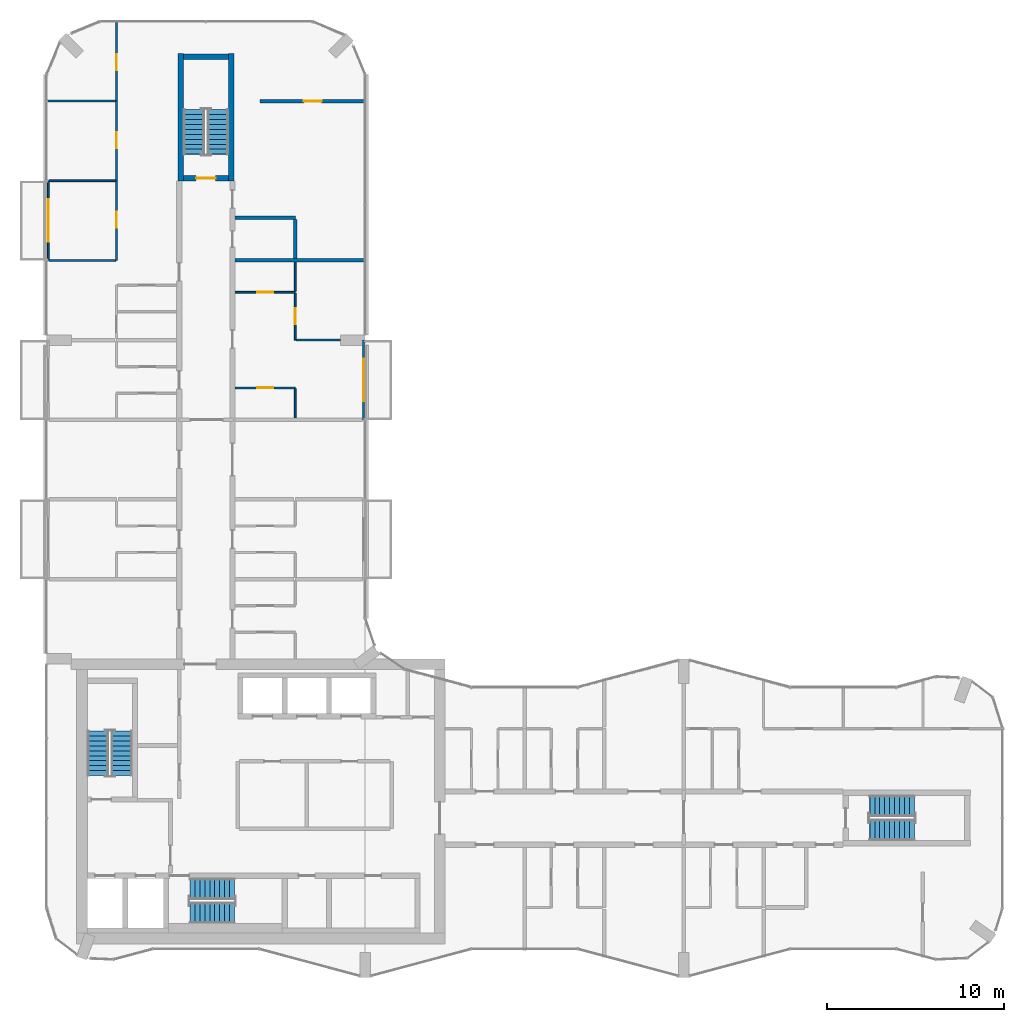
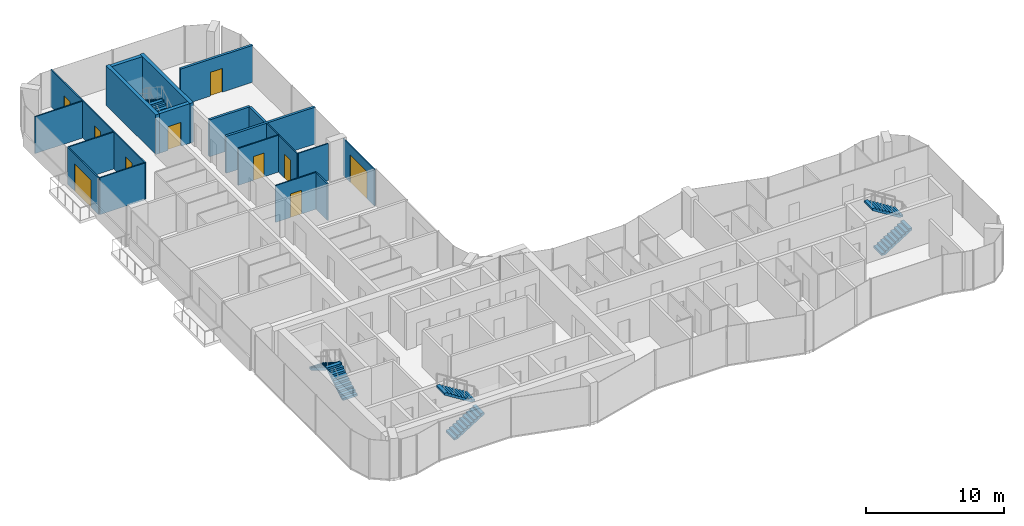
# One storey, part 13 of 16: 20 walls, 10 doors, 8 stair flights, 10 openings, 4 elements without a shape of their own.
"""IFC4 building model written with IfcOpenShell, lengths in metres."""

from ifc_helpers import new_model, si_unit, direction, frame, frame_2d, origin, place, context, subcontext, project, spatial, polyline, rectangle, outline, extrude, material, layer, layer_set, type_object, element, fill, aggregate, save


model = new_model("IFC4")

# Units and contexts
model_context = context("Model", 3, precision=1e-05, world=origin(), true_north=direction((0.0, 1.0)))
body_context = subcontext(model_context, "Body", "Model", "MODEL_VIEW")
ifc_project = project(units=[si_unit("LENGTHUNIT", "METRE"), si_unit("AREAUNIT", "SQUARE_METRE"), si_unit("VOLUMEUNIT", "CUBIC_METRE"), si_unit("PLANEANGLEUNIT", "RADIAN"), si_unit("MASSUNIT", "GRAM", prefix="KILO")], contexts=[model_context])

# Site, building, storey
site_placement = place(None, origin())
site = spatial("IfcSite", under=ifc_project, at=site_placement, CompositionType="ELEMENT")
building_placement = place(site_placement, origin())
building = spatial("IfcBuilding", under=site, at=building_placement, Name="Plateau Cross Towers", CompositionType="ELEMENT")
storey_placement = place(building_placement, frame((0.0, 0.0, 160.39990234375)))
storey = spatial("IfcBuildingStorey", under=building, at=storey_placement, Name="L41", CompositionType="ELEMENT", Elevation=160.39990234375)

# Wall, opening, door
ifc_material_1 = material(Name="Aluminium framed glazing", Category="aluminium")
ifc_layer_1 = layer(ifc_material_1, 0.10009765625)
ifc_layer_set_1 = layer_set([ifc_layer_1], Name="Aluminium framed glazing")
wall_type_1 = type_object("IfcWallType", Name="Balcony screen wall 100", PredefinedType="STANDARD", material=ifc_layer_set_1)
wall_1_placement = place(storey_placement, frame((0.10009765625, 40.5, 0.0), z_axis=(0.0, 0.0, 1.0), x_axis=(0.0, 1.0, 0.0)))
wall_1 = element("IfcWall", 1, at=wall_1_placement, inside=storey, type_object=wall_type_1, Name="Balcony screen wall A-BAL-L41-03", PredefinedType="STANDARD", context=body_context, shape_type="SweptSolid", body=[
    extrude(rectangle(XDim=4.5, YDim=0.10009765625, at=frame_2d((2.25, 0.0))), origin(), (0.0, 0.0, 1.0), 3.25),
])
opening_1_placement = place(wall_1_placement, frame((1.050048828125, 0.0, 0.0)))
opening_1 = element("IfcOpeningElement", 2, at=opening_1_placement, cuts=wall_1, Name="Opening D-B24", PredefinedType="OPENING", context=body_context, shape_type="SweptSolid", body=[
    extrude(rectangle(XDim=2.39990234375, YDim=2.39990234375, at=frame_2d((1.199951171875, 1.199951171875))), frame((0.0, 0.06005859375, 0.0), z_axis=(0.0, -1.0, 0.0), x_axis=(1.0, 0.0, 0.0)), (0.0, 0.0, 1.0), 0.1201171875),
])
ifc_material_2 = material(Name="Aluminium frame, double glazing", Category="aluminium")
door_type_1 = type_object("IfcDoorType", Name="Balcony sliding door 2400", OperationType="NOTDEFINED", PredefinedType="DOOR", material=ifc_material_2)
door_1_placement = place(opening_1_placement, origin())
door_1 = element("IfcDoor", 3, at=door_1_placement, inside=storey, type_object=door_type_1, Name="Balcony door A-BAL-L41-03", OperationType="SINGLE_SWING_LEFT", OverallHeight=2.39990234375, OverallWidth=2.39990234375, PredefinedType="DOOR", context=body_context, shape_type="SweptSolid", body=[
    extrude(rectangle(XDim=2.39990234375, YDim=2.39990234375, at=frame_2d((1.199951171875, 1.199951171875))), frame((0.0, 0.02490234375, 0.0), z_axis=(0.0, -1.0, 0.0), x_axis=(1.0, 0.0, 0.0)), (0.0, 0.0, 1.0), 0.050048828125),
])
fill(opening_1, door_1)

wall_2_placement = place(storey_placement, frame((17.89990234375, 36.0, 0.0), z_axis=(0.0, 0.0, 1.0), x_axis=(0.0, -1.0, 0.0)))
wall_2 = element("IfcWall", 4, at=wall_2_placement, inside=storey, type_object=wall_type_1, Name="Balcony screen wall A-BAL-L41-05", PredefinedType="STANDARD", context=body_context, shape_type="SweptSolid", body=[
    extrude(rectangle(XDim=4.5, YDim=0.10009765625, at=frame_2d((2.25, 0.0))), origin(), (0.0, 0.0, 1.0), 3.25),
])
opening_2_placement = place(wall_2_placement, frame((1.050048828125, 0.0, 0.0)))
opening_2 = element("IfcOpeningElement", 5, at=opening_2_placement, cuts=wall_2, Name="Opening D-B24", PredefinedType="OPENING", context=body_context, shape_type="SweptSolid", body=[
    extrude(rectangle(XDim=2.39990234375, YDim=2.39990234375, at=frame_2d((1.199951171875, 1.199951171875))), frame((0.0, 0.06005859375, 0.0), z_axis=(0.0, -1.0, 0.0), x_axis=(1.0, 0.0, 0.0)), (0.0, 0.0, 1.0), 0.1201171875),
])
door_2_placement = place(opening_2_placement, origin())
door_2 = element("IfcDoor", 6, at=door_2_placement, inside=storey, type_object=door_type_1, Name="Balcony door A-BAL-L41-05", OperationType="SINGLE_SWING_LEFT", OverallHeight=2.39990234375, OverallWidth=2.39990234375, PredefinedType="DOOR", context=body_context, shape_type="SweptSolid", body=[
    extrude(rectangle(XDim=2.39990234375, YDim=2.39990234375, at=frame_2d((1.199951171875, 1.199951171875))), frame((0.0, 0.02490234375, 0.0), z_axis=(0.0, -1.0, 0.0), x_axis=(1.0, 0.0, 0.0)), (0.0, 0.0, 1.0), 0.050048828125),
])
fill(opening_2, door_2)

ifc_material_3 = material(Name="Gypsum board on steel studs", Category="steel")
ifc_layer_2 = layer(ifc_material_3, 0.10009765625)
ifc_layer_set_2 = layer_set([ifc_layer_2], Name="Gypsum board on steel studs")
wall_type_2 = type_object("IfcWallType", Name="Flat partition 100", PredefinedType="PARTITIONING", material=ifc_layer_set_2)
wall_3_placement = place(storey_placement, frame((14.050048828125, 33.300048828125, 0.0), z_axis=(0.0, 0.0, 1.0), x_axis=(-1.0, 0.0, 0.0)))
wall_3 = element("IfcWall", 7, at=wall_3_placement, inside=storey, type_object=wall_type_2, Name="Partition wall", PredefinedType="PARTITIONING", context=body_context, shape_type="SweptSolid", body=[
    extrude(rectangle(XDim=3.400146484375, YDim=0.10009765625, at=frame_2d((1.7001953125, 0.0))), origin(), (0.0, 0.0, 1.0), 3.25),
])
opening_3_placement = place(wall_3_placement, frame((1.25, 0.0, 0.0)))
opening_3 = element("IfcOpeningElement", 8, at=opening_3_placement, cuts=wall_3, Name="Opening 41-52", PredefinedType="OPENING", context=body_context, shape_type="SweptSolid", body=[
    extrude(rectangle(XDim=0.89990234375, YDim=2.10009765625, at=frame_2d((0.449951171875, 1.050048828125))), frame((0.0, 0.06005859375, 0.0), z_axis=(0.0, -1.0, 0.0), x_axis=(1.0, 0.0, 0.0)), (0.0, 0.0, 1.0), 0.1201171875),
])
ifc_material_4 = material(Name="Timber leaf", Category="wood")
door_type_2 = type_object("IfcDoorType", Name="Flat room door 900", OperationType="NOTDEFINED", PredefinedType="DOOR", material=ifc_material_4)
door_3_placement = place(opening_3_placement, origin())
door_3 = element("IfcDoor", 9, at=door_3_placement, inside=storey, type_object=door_type_2, Name="Door 41-52", OperationType="SINGLE_SWING_LEFT", OverallHeight=2.10009765625, OverallWidth=0.89990234375, PredefinedType="DOOR", context=body_context, shape_type="SweptSolid", body=[
    extrude(rectangle(XDim=0.89990234375, YDim=2.10009765625, at=frame_2d((0.449951171875, 1.050048828125))), frame((0.0, 0.02490234375, 0.0), z_axis=(0.0, -1.0, 0.0), x_axis=(1.0, 0.0, 0.0)), (0.0, 0.0, 1.0), 0.050048828125),
])
fill(opening_3, door_3)

# Wall
wall_4_placement = place(storey_placement, frame((14.10009765625, 36.0, 0.0), z_axis=(0.0, 0.0, 1.0), x_axis=(1.0, 0.0, 0.0)))
element("IfcWall", 10, at=wall_4_placement, inside=storey, type_object=wall_type_2, Name="Partition wall", PredefinedType="PARTITIONING", context=body_context, shape_type="SweptSolid", body=[
    extrude(rectangle(XDim=2.5, YDim=0.10009765625, at=frame_2d((1.25, 0.0))), origin(), (0.0, 0.0, 1.0), 3.25),
])

# Wall, opening, door
wall_5_placement = place(storey_placement, frame((10.64990234375, 38.699951171875, 0.0), z_axis=(0.0, 0.0, 1.0), x_axis=(1.0, 0.0, 0.0)))
wall_5 = element("IfcWall", 11, at=wall_5_placement, inside=storey, type_object=wall_type_2, Name="Partition wall", PredefinedType="PARTITIONING", context=body_context, shape_type="SweptSolid", body=[
    extrude(rectangle(XDim=3.400146484375, YDim=0.10009765625, at=frame_2d((1.7001953125, 0.0))), origin(), (0.0, 0.0, 1.0), 3.25),
])
opening_4_placement = place(wall_5_placement, frame((1.25, 0.0, 0.0)))
opening_4 = element("IfcOpeningElement", 12, at=opening_4_placement, cuts=wall_5, Name="Opening 41-53", PredefinedType="OPENING", context=body_context, shape_type="SweptSolid", body=[
    extrude(rectangle(XDim=0.89990234375, YDim=2.10009765625, at=frame_2d((0.449951171875, 1.050048828125))), frame((0.0, 0.06005859375, 0.0), z_axis=(0.0, -1.0, 0.0), x_axis=(1.0, 0.0, 0.0)), (0.0, 0.0, 1.0), 0.1201171875),
])
door_4_placement = place(opening_4_placement, origin())
door_4 = element("IfcDoor", 13, at=door_4_placement, inside=storey, type_object=door_type_2, Name="Door 41-53", OperationType="SINGLE_SWING_LEFT", OverallHeight=2.10009765625, OverallWidth=0.89990234375, PredefinedType="DOOR", context=body_context, shape_type="SweptSolid", body=[
    extrude(rectangle(XDim=0.89990234375, YDim=2.10009765625, at=frame_2d((0.449951171875, 1.050048828125))), frame((0.0, 0.02490234375, 0.0), z_axis=(0.0, -1.0, 0.0), x_axis=(1.0, 0.0, 0.0)), (0.0, 0.0, 1.0), 0.050048828125),
])
fill(opening_4, door_4)

# Walls
for number, where, z_axis, x_axis, name in (
    (14, (0.14990234375, 40.5, 0.0), (0.0, 0.0, 1.0), (1.0, 0.0, 0.0), "Partition wall"),
    (15, (3.89990234375, 45.0, 0.0), (0.0, 0.0, 1.0), (-1.0, 0.0, 0.0), "Partition wall"),
):
    element("IfcWall", number, at=place(storey_placement, frame(where, z_axis=z_axis, x_axis=x_axis)), inside=storey, type_object=wall_type_2, Name=name, PredefinedType="PARTITIONING", context=body_context, shape_type="SweptSolid", body=[
        extrude(rectangle(XDim=3.75, YDim=0.10009765625, at=frame_2d((1.875, 0.0))), origin(), (0.0, 0.0, 1.0), 3.25),
    ])
wall_6_placement = place(storey_placement, frame((3.89990234375, 49.5, 0.0), z_axis=(0.0, 0.0, 1.0), x_axis=(-1.0, 0.0, 0.0)))
element("IfcWall", 16, at=wall_6_placement, inside=storey, type_object=wall_type_2, Name="Partition wall", PredefinedType="PARTITIONING", context=body_context, shape_type="SweptSolid", body=[
    extrude(rectangle(XDim=3.97998046875, YDim=0.10009765625, at=frame_2d((1.989990234375, 0.0))), origin(), (0.0, 0.0, 1.0), 3.25),
])

# Wall, openings, doors
wall_7_placement = place(storey_placement, frame((3.949951171875, 40.5, 0.0), z_axis=(0.0, 0.0, 1.0), x_axis=(0.0, 1.0, 0.0)))
wall_7 = element("IfcWall", 17, at=wall_7_placement, inside=storey, type_object=wall_type_2, Name="Partition wall", PredefinedType="PARTITIONING", context=body_context, shape_type="SweptSolid", body=[
    extrude(rectangle(XDim=13.580078125, YDim=0.10009765625, at=frame_2d((6.7900390625, 0.0))), origin(), (0.0, 0.0, 1.0), 3.25),
])
opening_5_placement = place(wall_7_placement, frame((1.85009765625, 0.0, 0.0)))
opening_5 = element("IfcOpeningElement", 18, at=opening_5_placement, cuts=wall_7, Name="Opening 41-45", PredefinedType="OPENING", context=body_context, shape_type="SweptSolid", body=[
    extrude(rectangle(XDim=0.89990234375, YDim=2.10009765625, at=frame_2d((0.449951171875, 1.050048828125))), frame((0.0, 0.06005859375, 0.0), z_axis=(0.0, -1.0, 0.0), x_axis=(1.0, 0.0, 0.0)), (0.0, 0.0, 1.0), 0.1201171875),
])
opening_6_placement = place(wall_7_placement, frame((6.35009765625, 0.0, 0.0)))
opening_6 = element("IfcOpeningElement", 19, at=opening_6_placement, cuts=wall_7, Name="Opening 41-46", PredefinedType="OPENING", context=body_context, shape_type="SweptSolid", body=[
    extrude(rectangle(XDim=0.89990234375, YDim=2.10009765625, at=frame_2d((0.449951171875, 1.050048828125))), frame((0.0, 0.06005859375, 0.0), z_axis=(0.0, -1.0, 0.0), x_axis=(1.0, 0.0, 0.0)), (0.0, 0.0, 1.0), 0.1201171875),
])
opening_7_placement = place(wall_7_placement, frame((10.75, 0.0, 0.0)))
opening_7 = element("IfcOpeningElement", 20, at=opening_7_placement, cuts=wall_7, Name="Opening 41-47", PredefinedType="OPENING", context=body_context, shape_type="SweptSolid", body=[
    extrude(rectangle(XDim=0.89990234375, YDim=2.10009765625, at=frame_2d((0.449951171875, 1.050048828125))), frame((0.0, 0.06005859375, 0.0), z_axis=(0.0, -1.0, 0.0), x_axis=(1.0, 0.0, 0.0)), (0.0, 0.0, 1.0), 0.1201171875),
])
door_5_placement = place(opening_5_placement, origin())
door_5 = element("IfcDoor", 21, at=door_5_placement, inside=storey, type_object=door_type_2, Name="Door 41-45", OperationType="SINGLE_SWING_LEFT", OverallHeight=2.10009765625, OverallWidth=0.89990234375, PredefinedType="DOOR", context=body_context, shape_type="SweptSolid", body=[
    extrude(rectangle(XDim=0.89990234375, YDim=2.10009765625, at=frame_2d((0.449951171875, 1.050048828125))), frame((0.0, 0.02490234375, 0.0), z_axis=(0.0, -1.0, 0.0), x_axis=(1.0, 0.0, 0.0)), (0.0, 0.0, 1.0), 0.050048828125),
])
fill(opening_5, door_5)
door_6_placement = place(opening_6_placement, origin())
door_6 = element("IfcDoor", 22, at=door_6_placement, inside=storey, type_object=door_type_2, Name="Door 41-46", OperationType="SINGLE_SWING_RIGHT", OverallHeight=2.10009765625, OverallWidth=0.89990234375, PredefinedType="DOOR", context=body_context, shape_type="SweptSolid", body=[
    extrude(rectangle(XDim=0.89990234375, YDim=2.10009765625, at=frame_2d((0.449951171875, 1.050048828125))), frame((0.0, 0.02490234375, 0.0), z_axis=(0.0, -1.0, 0.0), x_axis=(1.0, 0.0, 0.0)), (0.0, 0.0, 1.0), 0.050048828125),
])
fill(opening_6, door_6)
door_7_placement = place(opening_7_placement, origin())
door_7 = element("IfcDoor", 23, at=door_7_placement, inside=storey, type_object=door_type_2, Name="Door 41-47", OperationType="SINGLE_SWING_RIGHT", OverallHeight=2.10009765625, OverallWidth=0.89990234375, PredefinedType="DOOR", context=body_context, shape_type="SweptSolid", body=[
    extrude(rectangle(XDim=0.89990234375, YDim=2.10009765625, at=frame_2d((0.449951171875, 1.050048828125))), frame((0.0, 0.02490234375, 0.0), z_axis=(0.0, -1.0, 0.0), x_axis=(1.0, 0.0, 0.0)), (0.0, 0.0, 1.0), 0.050048828125),
])
fill(opening_7, door_7)

# Wall, opening, door
wall_8_placement = place(storey_placement, frame((14.050048828125, 38.64990234375, 0.0), z_axis=(0.0, 0.0, 1.0), x_axis=(0.0, -1.0, 0.0)))
wall_8 = element("IfcWall", 24, at=wall_8_placement, inside=storey, type_object=wall_type_2, Name="Partition wall", PredefinedType="PARTITIONING", context=body_context, shape_type="SweptSolid", body=[
    extrude(rectangle(XDim=2.64990234375, YDim=0.10009765625, at=frame_2d((1.324951171875, 0.0))), origin(), (0.0, 0.0, 1.0), 3.25),
])
opening_8_placement = place(wall_8_placement, frame((0.85009765625, 0.0, 0.0)))
opening_8 = element("IfcOpeningElement", 25, at=opening_8_placement, cuts=wall_8, Name="Opening 41-54", PredefinedType="OPENING", context=body_context, shape_type="SweptSolid", body=[
    extrude(rectangle(XDim=0.89990234375, YDim=2.10009765625, at=frame_2d((0.449951171875, 1.050048828125))), frame((0.0, 0.06005859375, 0.0), z_axis=(0.0, -1.0, 0.0), x_axis=(1.0, 0.0, 0.0)), (0.0, 0.0, 1.0), 0.1201171875),
])
door_8_placement = place(opening_8_placement, origin())
door_8 = element("IfcDoor", 26, at=door_8_placement, inside=storey, type_object=door_type_2, Name="Door 41-54", OperationType="SINGLE_SWING_LEFT", OverallHeight=2.10009765625, OverallWidth=0.89990234375, PredefinedType="DOOR", context=body_context, shape_type="SweptSolid", body=[
    extrude(rectangle(XDim=0.89990234375, YDim=2.10009765625, at=frame_2d((0.449951171875, 1.050048828125))), frame((0.0, 0.02490234375, 0.0), z_axis=(0.0, -1.0, 0.0), x_axis=(1.0, 0.0, 0.0)), (0.0, 0.0, 1.0), 0.050048828125),
])
fill(opening_8, door_8)

# Walls
for number, where, z_axis, x_axis, name in (
    (27, (14.050048828125, 31.60009765625, 0.0), (0.0, 0.0, 1.0), (0.0, 1.0, 0.0), "Partition wall"),
    (28, (14.050048828125, 38.75, 0.0), (0.0, 0.0, 1.0), (0.0, 1.0, 0.0), "Partition wall"),
):
    element("IfcWall", number, at=place(storey_placement, frame(where, z_axis=z_axis, x_axis=x_axis)), inside=storey, type_object=wall_type_2, Name=name, PredefinedType="PARTITIONING", context=body_context, shape_type="SweptSolid", body=[
        extrude(rectangle(XDim=1.64990234375, YDim=0.10009765625, at=frame_2d((0.824951171875, 0.0))), origin(), (0.0, 0.0, 1.0), 3.25),
    ])
ifc_material_5 = material(Name="Gypsum board on steel studs, two layers each side", Category="steel")
ifc_layer_3 = layer(ifc_material_5, 0.199951171875)
ifc_layer_set_3 = layer_set([ifc_layer_3], Name="Gypsum board on steel studs, two layers each side")
wall_type_3 = type_object("IfcWallType", Name="Flat party wall 200", PredefinedType="PARTITIONING", material=ifc_layer_set_3)
wall_9_placement = place(storey_placement, frame((18.080078125, 40.5, 0.0), z_axis=(0.0, 0.0, 1.0), x_axis=(-1.0, 0.0, 0.0)))
element("IfcWall", 29, at=wall_9_placement, inside=storey, type_object=wall_type_3, Name="Party wall", PredefinedType="PARTITIONING", context=body_context, shape_type="SweptSolid", body=[
    extrude(rectangle(XDim=7.43017578125, YDim=0.199951171875, at=frame_2d((3.715087890625, 0.0))), origin(), (0.0, 0.0, 1.0), 3.25),
])
wall_10_placement = place(storey_placement, frame((14.050048828125, 42.89990234375, 0.0), z_axis=(0.0, 0.0, 1.0), x_axis=(-1.0, 0.0, 0.0)))
element("IfcWall", 30, at=wall_10_placement, inside=storey, type_object=wall_type_3, Name="Party wall", PredefinedType="PARTITIONING", context=body_context, shape_type="SweptSolid", body=[
    extrude(rectangle(XDim=3.400146484375, YDim=0.199951171875, at=frame_2d((1.7001953125, 0.0))), origin(), (0.0, 0.0, 1.0), 3.25),
])

# Wall, opening, door
wall_11_placement = place(storey_placement, frame((18.080078125, 49.5, 0.0), z_axis=(0.0, 0.0, 1.0), x_axis=(-1.0, 0.0, 0.0)))
wall_11 = element("IfcWall", 31, at=wall_11_placement, inside=storey, type_object=wall_type_3, Name="Party wall", PredefinedType="PARTITIONING", context=body_context, shape_type="SweptSolid", body=[
    extrude(rectangle(XDim=6.030029296875, YDim=0.199951171875, at=frame_2d((3.01513671875, 0.0))), origin(), (0.0, 0.0, 1.0), 3.25),
])
opening_9_placement = place(wall_11_placement, frame((2.550048828125, 0.0, 0.0)))
opening_9 = element("IfcOpeningElement", 32, at=opening_9_placement, cuts=wall_11, Name="Opening 41-25", PredefinedType="OPENING", context=body_context, shape_type="SweptSolid", body=[
    extrude(rectangle(XDim=1.0, YDim=2.10009765625, at=frame_2d((0.5, 1.050048828125))), frame((0.0, 0.10986328125, 0.0), z_axis=(0.0, -1.0, 0.0), x_axis=(1.0, 0.0, 0.0)), (0.0, 0.0, 1.0), 0.219970703125),
])
ifc_material_6 = material(Name="Timber, fire-resisting leaf", Category="wood")
door_type_3 = type_object("IfcDoorType", Name="Flat entrance door 1000", OperationType="NOTDEFINED", PredefinedType="DOOR", material=ifc_material_6)
door_9_placement = place(opening_9_placement, origin())
door_9 = element("IfcDoor", 33, at=door_9_placement, inside=storey, type_object=door_type_3, Name="Door 41-25", OperationType="SINGLE_SWING_RIGHT", OverallHeight=2.10009765625, OverallWidth=1.0, PredefinedType="DOOR", context=body_context, shape_type="SweptSolid", body=[
    extrude(rectangle(XDim=1.0, YDim=2.10009765625, at=frame_2d((0.5, 1.050048828125))), frame((0.0, 0.02490234375, 0.0), z_axis=(0.0, -1.0, 0.0), x_axis=(1.0, 0.0, 0.0)), (0.0, 0.0, 1.0), 0.050048828125),
])
fill(opening_9, door_9)

# Wall
wall_12_placement = place(storey_placement, frame((14.050048828125, 40.60009765625, 0.0), z_axis=(0.0, 0.0, 1.0), x_axis=(0.0, 1.0, 0.0)))
element("IfcWall", 34, at=wall_12_placement, inside=storey, type_object=wall_type_3, Name="Party wall", PredefinedType="PARTITIONING", context=body_context, shape_type="SweptSolid", body=[
    extrude(rectangle(XDim=2.199951171875, YDim=0.199951171875, at=frame_2d((1.10009765625, 0.0))), origin(), (0.0, 0.0, 1.0), 3.25),
])

# Wall, opening, door
ifc_material_7 = material(Name="Concrete C60/75", Category="concrete")
ifc_layer_4 = layer(ifc_material_7, 0.300048828125)
ifc_layer_set_4 = layer_set([ifc_layer_4], Name="Concrete C60/75")
wall_type_4 = type_object("IfcWallType", Name="Stair tower wall 300", PredefinedType="SHEAR", material=ifc_layer_set_4)
wall_13_placement = place(storey_placement, frame((7.72509765625, 45.14990234375, 0.0), z_axis=(0.0, 0.0, 1.0), x_axis=(1.0, 0.0, 0.0)))
wall_13 = element("IfcWall", 35, at=wall_13_placement, inside=storey, type_object=wall_type_4, Name="A-end-N-S@L41", PredefinedType="SHEAR", context=body_context, shape_type="SweptSolid", body=[
    extrude(rectangle(XDim=2.5498046875, YDim=0.300048828125, at=frame_2d((1.27490234375, 0.0))), origin(), (0.0, 0.0, 1.0), 3.5),
])
opening_10_placement = place(wall_13_placement, frame((0.72509765625, 0.0, 0.0)))
opening_10 = element("IfcOpeningElement", 36, at=opening_10_placement, cuts=wall_13, Name="Opening SD", PredefinedType="OPENING", context=body_context, shape_type="SweptSolid", body=[
    extrude(rectangle(XDim=1.10009765625, YDim=2.10009765625, at=frame_2d((0.550048828125, 1.050048828125))), frame((0.0, 0.159912109375, 0.0), z_axis=(0.0, -1.0, 0.0), x_axis=(1.0, 0.0, 0.0)), (0.0, 0.0, 1.0), 0.320068359375),
])
ifc_material_8 = material(Name="Steel, fire-resisting leaf", Category="steel")
door_type_4 = type_object("IfcDoorType", Name="Stair door 1100", OperationType="NOTDEFINED", PredefinedType="DOOR", material=ifc_material_8)
door_10_placement = place(opening_10_placement, origin())
door_10 = element("IfcDoor", 37, at=door_10_placement, inside=storey, type_object=door_type_4, Name="Stair door SD", OperationType="SINGLE_SWING_LEFT", OverallHeight=2.10009765625, OverallWidth=1.10009765625, PredefinedType="DOOR", context=body_context, shape_type="SweptSolid", body=[
    extrude(rectangle(XDim=1.10009765625, YDim=2.10009765625, at=frame_2d((0.550048828125, 1.050048828125))), frame((0.0, 0.02490234375, 0.0), z_axis=(0.0, -1.0, 0.0), x_axis=(1.0, 0.0, 0.0)), (0.0, 0.0, 1.0), 0.050048828125),
])
fill(opening_10, door_10)

# Walls
wall_14_placement = place(storey_placement, frame((7.72509765625, 52.0, 0.0), z_axis=(0.0, 0.0, 1.0), x_axis=(1.0, 0.0, 0.0)))
element("IfcWall", 38, at=wall_14_placement, inside=storey, type_object=wall_type_4, Name="A-end-N-N@L41", PredefinedType="SHEAR", context=body_context, shape_type="SweptSolid", body=[
    extrude(rectangle(XDim=2.5498046875, YDim=0.300048828125, at=frame_2d((1.27490234375, 0.0))), origin(), (0.0, 0.0, 1.0), 3.5),
])
for number, where, z_axis, x_axis, name in (
    (39, (7.574951171875, 45.0, 0.0), (0.0, 0.0, 1.0), (0.0, 1.0, 0.0), "A-end-N-W@L41"),
    (40, (10.425048828125, 45.0, 0.0), (0.0, 0.0, 1.0), (0.0, 1.0, 0.0), "A-end-N-E@L41"),
):
    element("IfcWall", number, at=place(storey_placement, frame(where, z_axis=z_axis, x_axis=x_axis)), inside=storey, type_object=wall_type_4, Name=name, PredefinedType="SHEAR", context=body_context, shape_type="SweptSolid", body=[
        extrude(rectangle(XDim=7.199951171875, YDim=0.300048828125, at=frame_2d((3.60009765625, 0.0))), origin(), (0.0, 0.0, 1.0), 3.5),
    ])

# Stair, stair flights
ifc_material_9 = material(Name="Concrete C40/50", Category="concrete")
stair_type = type_object("IfcStairType", Name="ST-TWR", PredefinedType="HALF_TURN_STAIR", material=ifc_material_9)
stair_1_placement = place(storey_placement, origin())
stair_1 = element("IfcStair", 41, at=stair_1_placement, inside=storey, type_object=stair_type, Name="L41 Protected Exit Stair ST-1", PredefinedType="HALF_TURN_STAIR")
stair_flight_type = type_object("IfcStairFlightType", Name="SFL-RC", PredefinedType="STRAIGHT", material=ifc_material_9)
stair_flight_1_placement = place(storey_placement, frame((4.25, 11.39990234375, 0.0), z_axis=(0.0, 0.0, 1.0), x_axis=(0.0, 1.0, 0.0)))
stair_flight_1 = element("IfcStairFlight", 42, at=stair_flight_1_placement, type_object=stair_flight_type, Name="ST-1 flight 1", NumberOfRisers=10, NumberOfTreads=9, PredefinedType="STRAIGHT", RiserHeight=0.175, TreadLength=0.28, context=body_context, shape_type="SweptSolid", body=[
    extrude(outline(polyline([(-0.0048828125, -0.010009765625), (-0.0048828125, 0.0), (0.0, 0.0), (0.0, 0.175048828125), (0.280029296875, 0.175048828125), (0.280029296875, 0.35009765625), (0.56005859375, 0.35009765625), (0.56005859375, 0.52490234375), (0.840087890625, 0.52490234375), (0.840087890625, 0.699951171875), (1.1201171875, 0.699951171875), (1.1201171875, 0.875), (1.39990234375, 0.875), (1.39990234375, 1.050048828125), (1.679931640625, 1.050048828125), (1.679931640625, 1.22509765625), (1.9599609375, 1.22509765625), (1.9599609375, 1.39990234375), (2.239990234375, 1.39990234375), (2.239990234375, 1.574951171875), (2.52001953125, 1.574951171875), (2.52490234375, 1.56494140625), (2.52490234375, 1.398193359375), (2.52001953125, 1.398193359375), (0.28271484375, 0.0), (0.02001953125, 0.0), (0.02001953125, -0.010009765625), (-0.0048828125, -0.010009765625)])), frame((0.0, 0.60009765625, 0.0), z_axis=(0.0, -1.0, 0.0), x_axis=(1.0, 0.0, 0.0)), (0.0, 0.0, 1.0), 1.199951171875),
])
stair_flight_2_placement = place(storey_placement, frame((2.89990234375, 13.919921875, 1.75), z_axis=(0.0, 0.0, 1.0), x_axis=(0.0, -1.0, 0.0)))
stair_flight_2 = element("IfcStairFlight", 43, at=stair_flight_2_placement, type_object=stair_flight_type, Name="ST-1 flight 2", NumberOfRisers=10, NumberOfTreads=9, PredefinedType="STRAIGHT", RiserHeight=0.175, TreadLength=0.28, context=body_context, shape_type="SweptSolid", body=[
    extrude(outline(polyline([(-0.0048828125, -0.010009765625), (-0.0048828125, 0.0), (0.0, 0.0), (0.0, 0.175048828125), (0.280029296875, 0.175048828125), (0.280029296875, 0.35009765625), (0.56005859375, 0.35009765625), (0.56005859375, 0.52490234375), (0.840087890625, 0.52490234375), (0.840087890625, 0.699951171875), (1.1201171875, 0.699951171875), (1.1201171875, 0.875), (1.39990234375, 0.875), (1.39990234375, 1.050048828125), (1.679931640625, 1.050048828125), (1.679931640625, 1.22509765625), (1.9599609375, 1.22509765625), (1.9599609375, 1.39990234375), (2.239990234375, 1.39990234375), (2.239990234375, 1.574951171875), (2.52001953125, 1.574951171875), (2.52490234375, 1.56494140625), (2.52490234375, 1.398193359375), (2.52001953125, 1.398193359375), (0.28271484375, 0.0), (0.02001953125, 0.0), (0.02001953125, -0.010009765625), (-0.0048828125, -0.010009765625)])), frame((0.0, 0.60009765625, 0.0), z_axis=(0.0, -1.0, 0.0), x_axis=(1.0, 0.0, 0.0)), (0.0, 0.0, 1.0), 1.199951171875),
])
aggregate(stair_1, [stair_flight_1, stair_flight_2])

stair_2_placement = place(storey_placement, origin())
stair_2 = element("IfcStair", 44, at=stair_2_placement, inside=storey, type_object=stair_type, Name="L41 Protected Exit Stair ST-2", PredefinedType="HALF_TURN_STAIR")
stair_flight_3_placement = place(storey_placement, frame((8.10009765625, 3.64990234375, 0.0), z_axis=(0.0, 0.0, 1.0), x_axis=(1.0, 0.0, 0.0)))
stair_flight_3 = element("IfcStairFlight", 45, at=stair_flight_3_placement, type_object=stair_flight_type, Name="ST-2 flight 1", NumberOfRisers=10, NumberOfTreads=9, PredefinedType="STRAIGHT", RiserHeight=0.175, TreadLength=0.28, context=body_context, shape_type="SweptSolid", body=[
    extrude(outline(polyline([(-0.0048828125, -0.010009765625), (-0.0048828125, 0.0), (0.0, 0.0), (0.0, 0.175048828125), (0.280029296875, 0.175048828125), (0.280029296875, 0.35009765625), (0.56005859375, 0.35009765625), (0.56005859375, 0.52490234375), (0.840087890625, 0.52490234375), (0.840087890625, 0.699951171875), (1.1201171875, 0.699951171875), (1.1201171875, 0.875), (1.39990234375, 0.875), (1.39990234375, 1.050048828125), (1.679931640625, 1.050048828125), (1.679931640625, 1.22509765625), (1.9599609375, 1.22509765625), (1.9599609375, 1.39990234375), (2.239990234375, 1.39990234375), (2.239990234375, 1.574951171875), (2.52001953125, 1.574951171875), (2.52490234375, 1.56494140625), (2.52490234375, 1.398193359375), (2.52001953125, 1.398193359375), (0.28271484375, 0.0), (0.02001953125, 0.0), (0.02001953125, -0.010009765625), (-0.0048828125, -0.010009765625)])), frame((0.0, 0.60009765625, 0.0), z_axis=(0.0, -1.0, 0.0), x_axis=(1.0, 0.0, 0.0)), (0.0, 0.0, 1.0), 1.199951171875),
])
stair_flight_4_placement = place(storey_placement, frame((10.6201171875, 5.0, 1.75), z_axis=(0.0, 0.0, 1.0), x_axis=(-1.0, 0.0, 0.0)))
stair_flight_4 = element("IfcStairFlight", 46, at=stair_flight_4_placement, type_object=stair_flight_type, Name="ST-2 flight 2", NumberOfRisers=10, NumberOfTreads=9, PredefinedType="STRAIGHT", RiserHeight=0.175, TreadLength=0.28, context=body_context, shape_type="SweptSolid", body=[
    extrude(outline(polyline([(-0.0048828125, -0.010009765625), (-0.0048828125, 0.0), (0.0, 0.0), (0.0, 0.175048828125), (0.280029296875, 0.175048828125), (0.280029296875, 0.35009765625), (0.56005859375, 0.35009765625), (0.56005859375, 0.52490234375), (0.840087890625, 0.52490234375), (0.840087890625, 0.699951171875), (1.1201171875, 0.699951171875), (1.1201171875, 0.875), (1.39990234375, 0.875), (1.39990234375, 1.050048828125), (1.679931640625, 1.050048828125), (1.679931640625, 1.22509765625), (1.9599609375, 1.22509765625), (1.9599609375, 1.39990234375), (2.239990234375, 1.39990234375), (2.239990234375, 1.574951171875), (2.52001953125, 1.574951171875), (2.52490234375, 1.56494140625), (2.52490234375, 1.398193359375), (2.52001953125, 1.398193359375), (0.28271484375, 0.0), (0.02001953125, 0.0), (0.02001953125, -0.010009765625), (-0.0048828125, -0.010009765625)])), frame((0.0, 0.60009765625, 0.0), z_axis=(0.0, -1.0, 0.0), x_axis=(1.0, 0.0, 0.0)), (0.0, 0.0, 1.0), 1.199951171875),
])
aggregate(stair_2, [stair_flight_3, stair_flight_4])

stair_3_placement = place(storey_placement, origin())
stair_3 = element("IfcStair", 47, at=stair_3_placement, inside=storey, type_object=stair_type, Name="L41 Protected Exit Stair E", PredefinedType="HALF_TURN_STAIR")
stair_flight_5_placement = place(storey_placement, frame((46.5, 8.324951171875, 0.0), z_axis=(0.0, 0.0, 1.0), x_axis=(1.0, 0.0, 0.0)))
stair_flight_5 = element("IfcStairFlight", 48, at=stair_flight_5_placement, type_object=stair_flight_type, Name="ES-E flight 1", NumberOfRisers=10, NumberOfTreads=9, PredefinedType="STRAIGHT", RiserHeight=0.175, TreadLength=0.28, context=body_context, shape_type="SweptSolid", body=[
    extrude(outline(polyline([(-0.0048828125, -0.010009765625), (-0.0048828125, 0.0), (0.0, 0.0), (0.0, 0.175048828125), (0.280029296875, 0.175048828125), (0.280029296875, 0.35009765625), (0.56005859375, 0.35009765625), (0.56005859375, 0.52490234375), (0.840087890625, 0.52490234375), (0.840087890625, 0.699951171875), (1.1201171875, 0.699951171875), (1.1201171875, 0.875), (1.39990234375, 0.875), (1.39990234375, 1.050048828125), (1.679931640625, 1.050048828125), (1.679931640625, 1.22509765625), (1.9599609375, 1.22509765625), (1.9599609375, 1.39990234375), (2.239990234375, 1.39990234375), (2.239990234375, 1.574951171875), (2.52001953125, 1.574951171875), (2.52490234375, 1.56494140625), (2.52490234375, 1.398193359375), (2.52001953125, 1.398193359375), (0.28271484375, 0.0), (0.02001953125, 0.0), (0.02001953125, -0.010009765625), (-0.0048828125, -0.010009765625)])), frame((0.0, 0.60009765625, 0.0), z_axis=(0.0, -1.0, 0.0), x_axis=(1.0, 0.0, 0.0)), (0.0, 0.0, 1.0), 1.199951171875),
])
stair_flight_6_placement = place(storey_placement, frame((49.02001953125, 9.675048828125, 1.75), z_axis=(0.0, 0.0, 1.0), x_axis=(-1.0, 0.0, 0.0)))
stair_flight_6 = element("IfcStairFlight", 49, at=stair_flight_6_placement, type_object=stair_flight_type, Name="ES-E flight 2", NumberOfRisers=10, NumberOfTreads=9, PredefinedType="STRAIGHT", RiserHeight=0.175, TreadLength=0.28, context=body_context, shape_type="SweptSolid", body=[
    extrude(outline(polyline([(-0.0048828125, -0.010009765625), (-0.0048828125, 0.0), (0.0, 0.0), (0.0, 0.175048828125), (0.280029296875, 0.175048828125), (0.280029296875, 0.35009765625), (0.56005859375, 0.35009765625), (0.56005859375, 0.52490234375), (0.840087890625, 0.52490234375), (0.840087890625, 0.699951171875), (1.1201171875, 0.699951171875), (1.1201171875, 0.875), (1.39990234375, 0.875), (1.39990234375, 1.050048828125), (1.679931640625, 1.050048828125), (1.679931640625, 1.22509765625), (1.9599609375, 1.22509765625), (1.9599609375, 1.39990234375), (2.239990234375, 1.39990234375), (2.239990234375, 1.574951171875), (2.52001953125, 1.574951171875), (2.52490234375, 1.56494140625), (2.52490234375, 1.398193359375), (2.52001953125, 1.398193359375), (0.28271484375, 0.0), (0.02001953125, 0.0), (0.02001953125, -0.010009765625), (-0.0048828125, -0.010009765625)])), frame((0.0, 0.60009765625, 0.0), z_axis=(0.0, -1.0, 0.0), x_axis=(1.0, 0.0, 0.0)), (0.0, 0.0, 1.0), 1.199951171875),
])
aggregate(stair_3, [stair_flight_5, stair_flight_6])

stair_4_placement = place(storey_placement, origin())
stair_4 = element("IfcStair", 50, at=stair_4_placement, inside=storey, type_object=stair_type, Name="L41 Protected Exit Stair N", PredefinedType="HALF_TURN_STAIR")
stair_flight_7_placement = place(storey_placement, frame((9.675048828125, 46.5, 0.0), z_axis=(0.0, 0.0, 1.0), x_axis=(0.0, 1.0, 0.0)))
stair_flight_7 = element("IfcStairFlight", 51, at=stair_flight_7_placement, type_object=stair_flight_type, Name="ES-N flight 1", NumberOfRisers=10, NumberOfTreads=9, PredefinedType="STRAIGHT", RiserHeight=0.175, TreadLength=0.28, context=body_context, shape_type="SweptSolid", body=[
    extrude(outline(polyline([(-0.0048828125, -0.010009765625), (-0.0048828125, 0.0), (0.0, 0.0), (0.0, 0.175048828125), (0.280029296875, 0.175048828125), (0.280029296875, 0.35009765625), (0.56005859375, 0.35009765625), (0.56005859375, 0.52490234375), (0.840087890625, 0.52490234375), (0.840087890625, 0.699951171875), (1.1201171875, 0.699951171875), (1.1201171875, 0.875), (1.39990234375, 0.875), (1.39990234375, 1.050048828125), (1.679931640625, 1.050048828125), (1.679931640625, 1.22509765625), (1.9599609375, 1.22509765625), (1.9599609375, 1.39990234375), (2.239990234375, 1.39990234375), (2.239990234375, 1.574951171875), (2.52001953125, 1.574951171875), (2.52490234375, 1.56494140625), (2.52490234375, 1.398193359375), (2.52001953125, 1.398193359375), (0.28271484375, 0.0), (0.02001953125, 0.0), (0.02001953125, -0.010009765625), (-0.0048828125, -0.010009765625)])), frame((0.0, 0.60009765625, 0.0), z_axis=(0.0, -1.0, 0.0), x_axis=(1.0, 0.0, 0.0)), (0.0, 0.0, 1.0), 1.199951171875),
])
stair_flight_8_placement = place(storey_placement, frame((8.324951171875, 49.02001953125, 1.75), z_axis=(0.0, 0.0, 1.0), x_axis=(0.0, -1.0, 0.0)))
stair_flight_8 = element("IfcStairFlight", 52, at=stair_flight_8_placement, type_object=stair_flight_type, Name="ES-N flight 2", NumberOfRisers=10, NumberOfTreads=9, PredefinedType="STRAIGHT", RiserHeight=0.175, TreadLength=0.28, context=body_context, shape_type="SweptSolid", body=[
    extrude(outline(polyline([(-0.0048828125, -0.010009765625), (-0.0048828125, 0.0), (0.0, 0.0), (0.0, 0.175048828125), (0.280029296875, 0.175048828125), (0.280029296875, 0.35009765625), (0.56005859375, 0.35009765625), (0.56005859375, 0.52490234375), (0.840087890625, 0.52490234375), (0.840087890625, 0.699951171875), (1.1201171875, 0.699951171875), (1.1201171875, 0.875), (1.39990234375, 0.875), (1.39990234375, 1.050048828125), (1.679931640625, 1.050048828125), (1.679931640625, 1.22509765625), (1.9599609375, 1.22509765625), (1.9599609375, 1.39990234375), (2.239990234375, 1.39990234375), (2.239990234375, 1.574951171875), (2.52001953125, 1.574951171875), (2.52490234375, 1.56494140625), (2.52490234375, 1.398193359375), (2.52001953125, 1.398193359375), (0.28271484375, 0.0), (0.02001953125, 0.0), (0.02001953125, -0.010009765625), (-0.0048828125, -0.010009765625)])), frame((0.0, 0.60009765625, 0.0), z_axis=(0.0, -1.0, 0.0), x_axis=(1.0, 0.0, 0.0)), (0.0, 0.0, 1.0), 1.199951171875),
])
aggregate(stair_4, [stair_flight_7, stair_flight_8])

save(model, "model.ifc")
